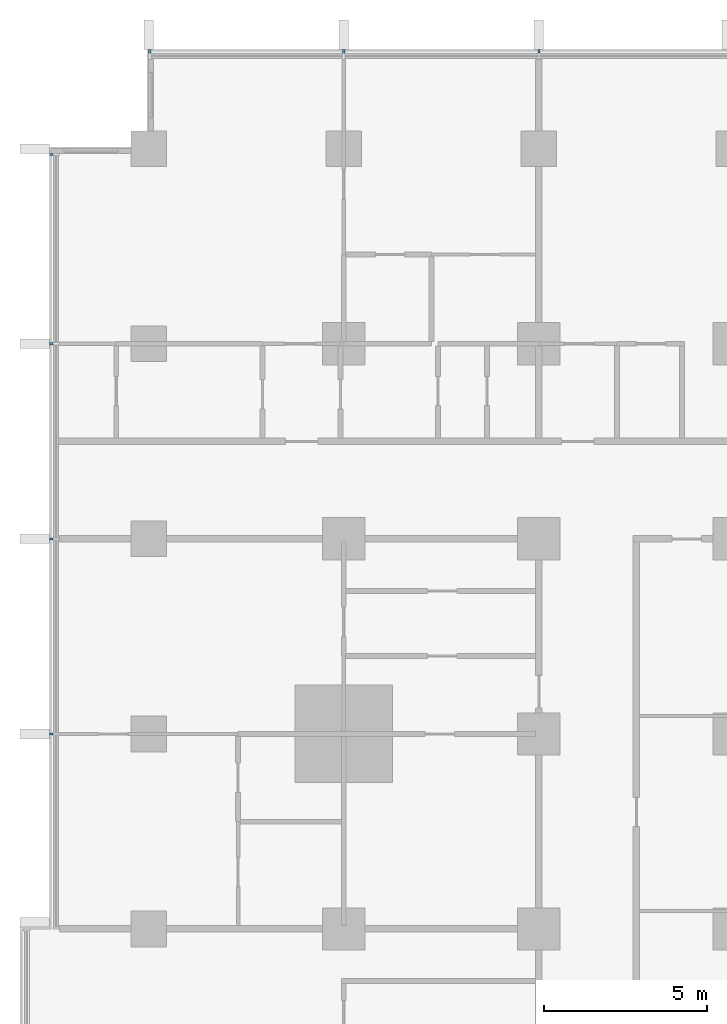
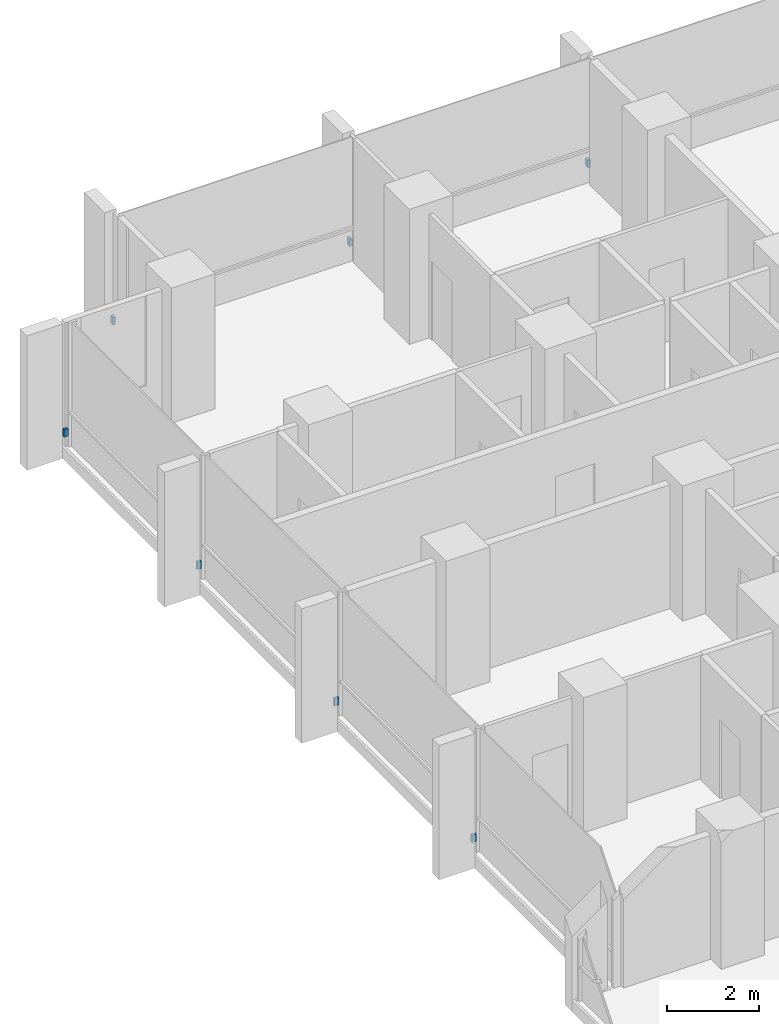
# One storey, part 16 of 18: 7 discrete accessories.
"""IFC4 building model written with IfcOpenShell, lengths in metres."""

from ifc_helpers import new_model, si_unit, direction, frame, origin, origin_2d, place, context, subcontext, project, spatial, rectangle, extrude, material, type_object, element, save


model = new_model("IFC4")

# Units and contexts
model_context = context("Model", 3, precision=1e-05, world=origin(), true_north=direction((0.0, 1.0)))
body_context = subcontext(model_context, "Body", "Model", "MODEL_VIEW")
ifc_project = project(units=[si_unit("LENGTHUNIT", "METRE"), si_unit("AREAUNIT", "SQUARE_METRE"), si_unit("VOLUMEUNIT", "CUBIC_METRE"), si_unit("PLANEANGLEUNIT", "RADIAN"), si_unit("MASSUNIT", "GRAM", prefix="KILO")], contexts=[model_context])

# Site, building, storey
site_placement = place(None, origin())
site = spatial("IfcSite", under=ifc_project, at=site_placement, CompositionType="ELEMENT")
building_placement = place(site_placement, origin())
building = spatial("IfcBuilding", under=site, at=building_placement, Name="Finial Court Residences", CompositionType="ELEMENT")
storey_placement = place(building_placement, frame((0.0, 0.0, 43.300048828125)))
storey = spatial("IfcBuildingStorey", under=building, at=storey_placement, Name="L09", CompositionType="ELEMENT", Elevation=43.300048828125)

# Discrete accessories
ifc_material = material(Name="Stainless steel 316", Category="steel")
discrete_accessory_type = type_object("IfcDiscreteAccessoryType", Name="Fin bracket, stainless steel 65 x 110 x 200", PredefinedType="BRACKET", material=ifc_material)
for number, where, z_axis, x_axis, name in (
    (1, (-22.467529296875, 28.5048828125, 0.2998046875), (0.0, 0.0, 1.0), (1.0, 0.0, 0.0), "E-L09-FIN-N1-BRK"),
    (2, (-16.5, 28.5048828125, 0.2998046875), (0.0, 0.0, 1.0), (1.0, 0.0, 0.0), "E-L09-FIN-N2-BRK"),
    (3, (-10.5, 28.5048828125, 0.2998046875), (0.0, 0.0, 1.0), (1.0, 0.0, 0.0), "E-L09-FIN-N3-BRK"),
):
    element("IfcDiscreteAccessory", number, at=place(storey_placement, frame(where, z_axis=z_axis, x_axis=x_axis)), inside=storey, type_object=discrete_accessory_type, Name=name, PredefinedType="BRACKET", context=body_context, shape_type="SweptSolid", body=[
        extrude(rectangle(XDim=0.06494140625, YDim=0.110107421875, at=origin_2d()), origin(), (0.0, 0.0, 1.0), 0.199951171875),
    ])
for number, where, z_axis, x_axis, name in (
    (4, (-25.5048828125, 7.5, 0.2998046875), (0.0, 0.0, 1.0), (1.0, 0.0, 0.0), "E-L09-FIN-W31-BRK"),
    (5, (-25.5048828125, 13.5, 0.2998046875), (0.0, 0.0, 1.0), (1.0, 0.0, 0.0), "E-L09-FIN-W32-BRK"),
    (6, (-25.5048828125, 19.5, 0.2998046875), (0.0, 0.0, 1.0), (1.0, 0.0, 0.0), "E-L09-FIN-W33-BRK"),
    (7, (-25.5048828125, 25.3173828125, 0.2998046875), (0.0, 0.0, 1.0), (1.0, 0.0, 0.0), "E-L09-FIN-W34-BRK"),
):
    element("IfcDiscreteAccessory", number, at=place(storey_placement, frame(where, z_axis=z_axis, x_axis=x_axis)), inside=storey, type_object=discrete_accessory_type, Name=name, PredefinedType="BRACKET", context=body_context, shape_type="SweptSolid", body=[
        extrude(rectangle(XDim=0.110107421875, YDim=0.06494140625, at=origin_2d()), origin(), (0.0, 0.0, 1.0), 0.199951171875),
    ])

save(model, "model.ifc")
